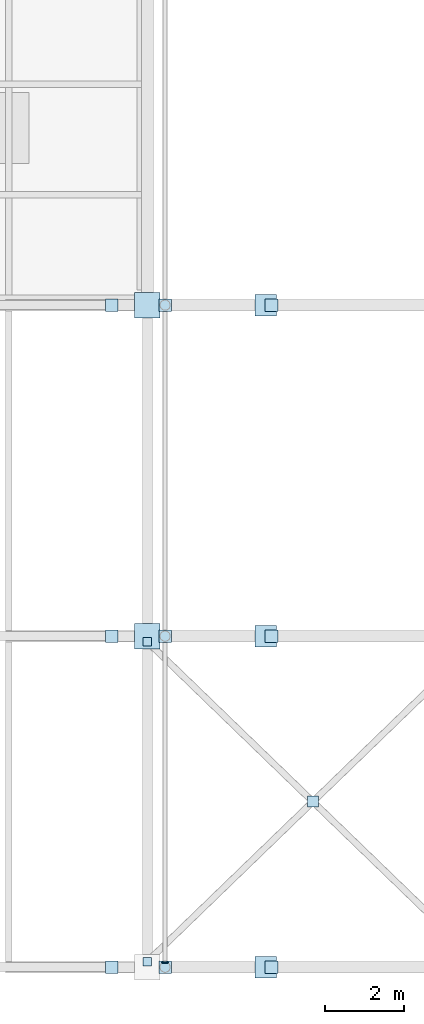
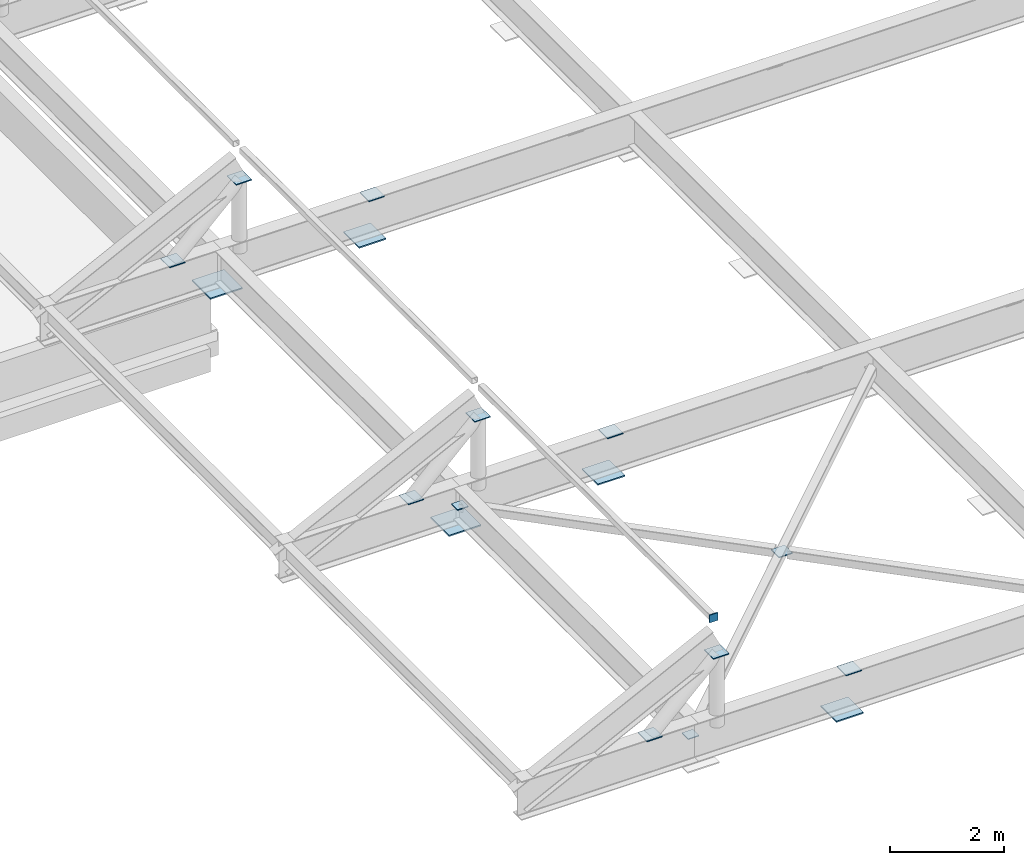
# One storey, part 28 of 41: 18 plates.
"""IFC4 building model written with IfcOpenShell, lengths in metres."""

from ifc_helpers import new_model, si_unit, direction, frame, origin, origin_2d, place, context, subcontext, project, spatial, rectangle, extrude, material, layer, layer_set, type_object, element, save


model = new_model("IFC4")

# Units and contexts
model_context = context("Model", 3, precision=1e-05, world=origin(), true_north=direction((0.0, 1.0)))
body_context = subcontext(model_context, "Body", "Model", "MODEL_VIEW")
ifc_project = project(units=[si_unit("LENGTHUNIT", "METRE"), si_unit("AREAUNIT", "SQUARE_METRE"), si_unit("VOLUMEUNIT", "CUBIC_METRE"), si_unit("PLANEANGLEUNIT", "RADIAN"), si_unit("MASSUNIT", "GRAM", prefix="KILO")], contexts=[model_context])

# Site, building, storey
site_placement = place(None, origin())
site = spatial("IfcSite", under=ifc_project, at=site_placement, CompositionType="ELEMENT")
building_placement = place(site_placement, origin())
building = spatial("IfcBuilding", under=site, at=building_placement, Name="Vireocrest Preparatory School", CompositionType="ELEMENT")
storey_placement = place(building_placement, frame((0.0, 0.0, 21.60009765625)))
storey = spatial("IfcBuildingStorey", under=building, at=storey_placement, Name="L05", CompositionType="ELEMENT", Elevation=21.60009765625)

# Plates
ifc_material = material(Name="Structural steel ASTM A572 Grade 50", Category="steel")
ifc_layer_1 = layer(ifc_material, 0.028076171875)
ifc_layer_set_1 = layer_set([ifc_layer_1], Name="Structural steel ASTM A572 Grade 50")
plate_type_1 = type_object("IfcPlateType", Name="Canopy Girder Upper Steel Node Plate 28", PredefinedType="SHEET", material=ifc_layer_set_1)
plate_1_placement = place(storey_placement, frame((70.199951171875, 27.0, 0.9716796875), z_axis=(0.0, 0.0, 1.0), x_axis=(1.0, 0.0, 0.0)))
element("IfcPlate", 1, at=plate_1_placement, inside=storey, type_object=plate_type_1, Name="Node VN2 Secondary Strut Bearing Plate W1", PredefinedType="SHEET", context=body_context, shape_type="SweptSolid", body=[
    extrude(rectangle(XDim=0.550048828125, YDim=0.550048828125, at=origin_2d()), origin(), (0.0, 0.0, 1.0), 0.028076171875),
])
plate_2_placement = place(storey_placement, frame((67.199951171875, 35.39990234375, 0.9716796875), z_axis=(0.0, 0.0, 1.0), x_axis=(1.0, 0.0, 0.0)))
element("IfcPlate", 2, at=plate_2_placement, inside=storey, type_object=plate_type_1, Name="Node VN2 Canopy Girder Bearing Plate W2-A1", PredefinedType="SHEET", context=body_context, shape_type="SweptSolid", body=[
    extrude(rectangle(XDim=0.64990234375, YDim=0.64990234375, at=origin_2d()), origin(), (0.0, 0.0, 1.0), 0.028076171875),
])
plate_3_placement = place(storey_placement, frame((70.199951171875, 35.39990234375, 0.9716796875), z_axis=(0.0, 0.0, 1.0), x_axis=(1.0, 0.0, 0.0)))
element("IfcPlate", 3, at=plate_3_placement, inside=storey, type_object=plate_type_1, Name="Node VN2 Secondary Strut Bearing Plate W2", PredefinedType="SHEET", context=body_context, shape_type="SweptSolid", body=[
    extrude(rectangle(XDim=0.550048828125, YDim=0.550048828125, at=origin_2d()), origin(), (0.0, 0.0, 1.0), 0.028076171875),
])
plate_4_placement = place(storey_placement, frame((67.199951171875, 43.800048828125, 0.9716796875), z_axis=(0.0, 0.0, 1.0), x_axis=(1.0, 0.0, 0.0)))
element("IfcPlate", 4, at=plate_4_placement, inside=storey, type_object=plate_type_1, Name="Node VN2 Canopy Girder Bearing Plate W3-A1", PredefinedType="SHEET", context=body_context, shape_type="SweptSolid", body=[
    extrude(rectangle(XDim=0.64990234375, YDim=0.64990234375, at=origin_2d()), origin(), (0.0, 0.0, 1.0), 0.028076171875),
])
plate_5_placement = place(storey_placement, frame((70.199951171875, 43.800048828125, 0.9716796875), z_axis=(0.0, 0.0, 1.0), x_axis=(1.0, 0.0, 0.0)))
element("IfcPlate", 5, at=plate_5_placement, inside=storey, type_object=plate_type_1, Name="Node VN2 Secondary Strut Bearing Plate W3", PredefinedType="SHEET", context=body_context, shape_type="SweptSolid", body=[
    extrude(rectangle(XDim=0.550048828125, YDim=0.550048828125, at=origin_2d()), origin(), (0.0, 0.0, 1.0), 0.028076171875),
])
ifc_layer_2 = layer(ifc_material, 0.02001953125)
ifc_layer_set_2 = layer_set([ifc_layer_2], Name="Structural steel ASTM A572 Grade 50")
plate_type_2 = type_object("IfcPlateType", Name="Hollow Section Steel End Cap Plate 20", PredefinedType="SHEET", material=ifc_layer_set_2)
for number, where, z_axis, x_axis, name in (
    (6, (66.300048828125, 27.0, 1.804931640625), (0.0, 0.0, 1.0), (1.0, 0.0, 0.0), "Canopy Web Cap CP1-1-1B"),
    (7, (67.64990234375, 27.0, 3.10791015625), (0.0, 0.0, 1.0), (1.0, 0.0, 0.0), "Canopy Web Cap CP1-1-1T"),
    (8, (70.35009765625, 27.0, 1.804931640625), (0.0, 0.0, 1.0), (1.0, 0.0, 0.0), "Canopy Web Cap CP1-1-2B"),
    (9, (66.300048828125, 35.39990234375, 1.804931640625), (0.0, 0.0, 1.0), (1.0, 0.0, 0.0), "Canopy Web Cap CP1-2-1B"),
    (10, (67.64990234375, 35.39990234375, 3.10791015625), (0.0, 0.0, 1.0), (1.0, 0.0, 0.0), "Canopy Web Cap CP1-2-1T"),
    (11, (70.35009765625, 35.39990234375, 1.804931640625), (0.0, 0.0, 1.0), (1.0, 0.0, 0.0), "Canopy Web Cap CP1-2-2B"),
    (12, (66.300048828125, 43.800048828125, 1.804931640625), (0.0, 0.0, 1.0), (1.0, 0.0, 0.0), "Canopy Web Cap CP1-3-1B"),
    (13, (67.64990234375, 43.800048828125, 3.10791015625), (0.0, 0.0, 1.0), (1.0, 0.0, 0.0), "Canopy Web Cap CP1-3-1T"),
    (14, (70.35009765625, 43.800048828125, 1.804931640625), (0.0, 0.0, 1.0), (1.0, 0.0, 0.0), "Canopy Web Cap CP1-3-2B"),
):
    element("IfcPlate", number, at=place(storey_placement, frame(where, z_axis=z_axis, x_axis=x_axis)), inside=storey, type_object=plate_type_2, Name=name, PredefinedType="SHEET", context=body_context, shape_type="SweptSolid", body=[
        extrude(rectangle(XDim=0.320068359375, YDim=0.320068359375, at=origin_2d()), origin(), (0.0, 0.0, 1.0), 0.02001953125),
    ])
plate_6_placement = place(storey_placement, frame((67.64990234375, 27.110107421875, 3.70849609375), z_axis=(0.0, 0.0, 1.0), x_axis=(1.0, 0.0, 0.0)))
element("IfcPlate", 15, at=plate_6_placement, inside=storey, type_object=plate_type_2, Name="Canopy Purlin Cap CP1-1-2", PredefinedType="SHEET", context=body_context, shape_type="SweptSolid", body=[
    extrude(rectangle(XDim=0.1669921875, YDim=0.02001953125, at=origin_2d()), origin(), (0.0, 0.0, 1.0), 0.1669921875),
])
plate_7_placement = place(storey_placement, frame((67.199951171875, 27.139892578125, 1.407470703125), z_axis=(0.0, 0.0, 1.0), x_axis=(1.0, 0.0, 0.0)))
element("IfcPlate", 16, at=plate_7_placement, inside=storey, type_object=plate_type_2, Name="Canopy Brace Cap CP1-1-WA", PredefinedType="SHEET", context=body_context, shape_type="SweptSolid", body=[
    extrude(rectangle(XDim=0.219970703125, YDim=0.219970703125, at=origin_2d()), origin(), (0.0, 0.0, 1.0), 0.02001953125),
])
plate_8_placement = place(storey_placement, frame((71.39990234375, 31.199951171875, 1.407470703125), z_axis=(0.0, 0.0, 1.0), x_axis=(1.0, 0.0, 0.0)))
element("IfcPlate", 17, at=plate_8_placement, inside=storey, type_object=plate_type_2, Name="Canopy X-Brace Crossing Gusset CP1-1-W", PredefinedType="SHEET", context=body_context, shape_type="SweptSolid", body=[
    extrude(rectangle(XDim=0.280029296875, YDim=0.280029296875, at=origin_2d()), origin(), (0.0, 0.0, 1.0), 0.02001953125),
])
plate_9_placement = place(storey_placement, frame((67.199951171875, 35.260009765625, 1.407470703125), z_axis=(0.0, 0.0, 1.0), x_axis=(1.0, 0.0, 0.0)))
element("IfcPlate", 18, at=plate_9_placement, inside=storey, type_object=plate_type_2, Name="Canopy Brace Cap CP1-1-WC", PredefinedType="SHEET", context=body_context, shape_type="SweptSolid", body=[
    extrude(rectangle(XDim=0.219970703125, YDim=0.219970703125, at=origin_2d()), origin(), (0.0, 0.0, 1.0), 0.02001953125),
])

save(model, "model.ifc")
